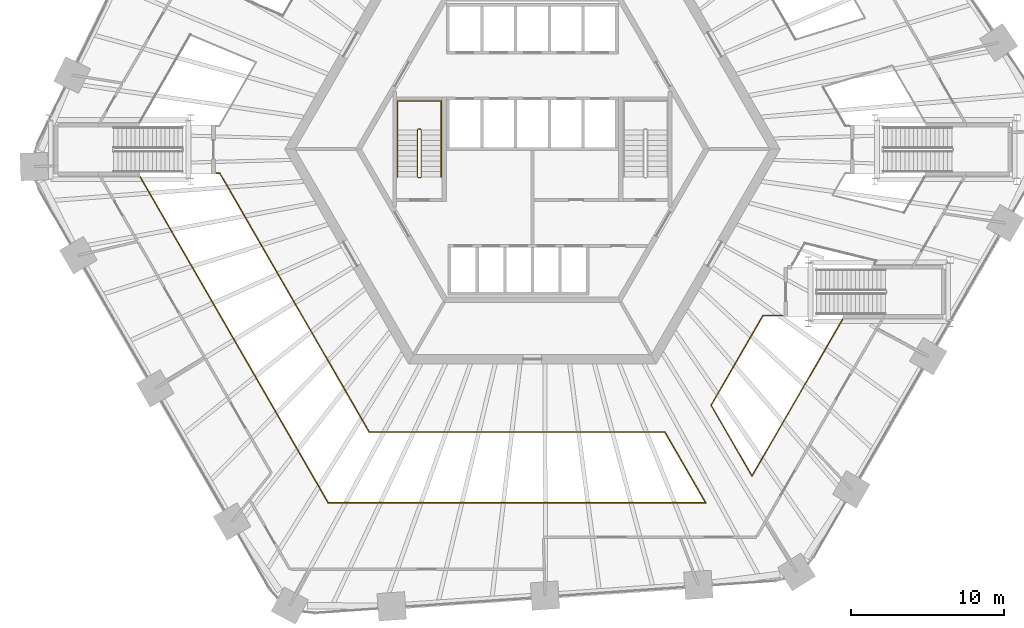
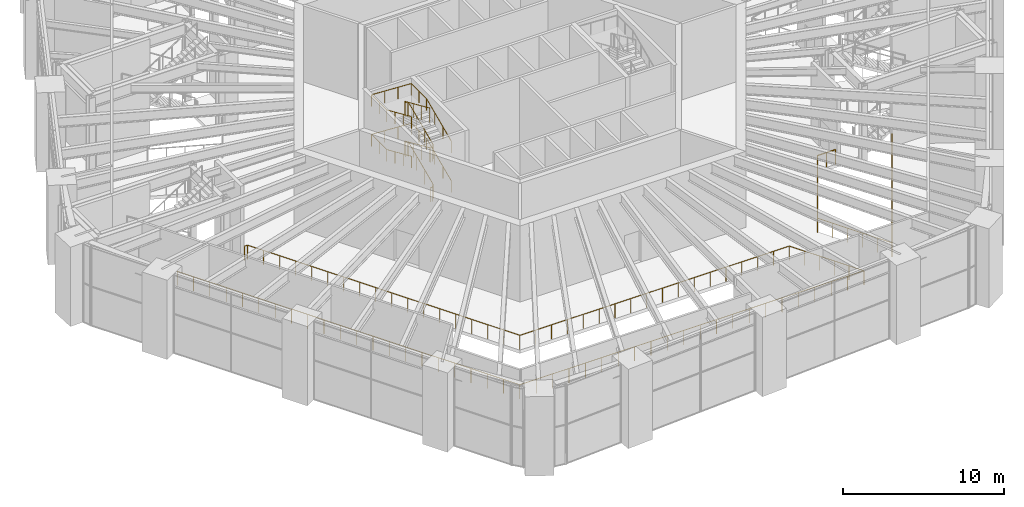
# One storey, part 28 of 32: 6 railings.
"""IFC4 building model written with IfcOpenShell, lengths in metres."""

from ifc_helpers import new_model, si_unit, direction, frame, origin, origin_2d, place, context, subcontext, project, spatial, circle, extrude, material, type_object, element, save


model = new_model("IFC4")

# Units and contexts
model_context = context("Model", 3, precision=1e-05, world=origin(), true_north=direction((0.0, 1.0)))
body_context = subcontext(model_context, "Body", "Model", "MODEL_VIEW")
ifc_project = project(units=[si_unit("LENGTHUNIT", "METRE"), si_unit("AREAUNIT", "SQUARE_METRE"), si_unit("VOLUMEUNIT", "CUBIC_METRE"), si_unit("PLANEANGLEUNIT", "RADIAN"), si_unit("MASSUNIT", "GRAM", prefix="KILO")], contexts=[model_context])

# Site, building, storey
site_placement = place(None, origin())
site = spatial("IfcSite", under=ifc_project, at=site_placement, CompositionType="ELEMENT")
building_placement = place(site_placement, origin())
building = spatial("IfcBuilding", under=site, at=building_placement, Name="Tarnside Tower", CompositionType="ELEMENT")
storey_placement = place(building_placement, frame((0.0, 0.0, 9.0)))
storey = spatial("IfcBuildingStorey", under=building, at=storey_placement, Name="L01", CompositionType="ELEMENT", Elevation=9.0)

# Railings
ifc_material_1 = material(Name="Safety glass", Category="glass")
railing_type_1 = type_object("IfcRailingType", Name="Guard 1100 glass", PredefinedType="GUARDRAIL", material=ifc_material_1)
railing_1_placement = place(storey_placement, frame((-20.60498046875, -1.56494140625, 0.0)))
element("IfcRailing", 1, at=railing_1_placement, inside=storey, type_object=railing_type_1, Name="Guard 1", PredefinedType="GUARDRAIL", context=body_context, shape_type="SweptSolid", body=[
    extrude(circle(Radius=0.02392578125, at=origin_2d()), frame((0.0, 0.0, 1.076171875), z_axis=(1.0, 0.0, 0.0), x_axis=(0.0, 1.0, 0.0)), (0.0, 0.0, 1.0), 0.2158203125),
    extrude(circle(Radius=0.02392578125, at=origin_2d()), frame((0.2158203125, 0.0, 1.076171875), z_axis=(0.500005162613, -0.866022423128, 0.0), x_axis=(0.866022423128, 0.500005162613, 0.0)), (0.0, 0.0, 1.0), 19.485595703125),
    extrude(circle(Radius=0.02392578125, at=origin_2d()), frame((9.958740234375, -16.875, 1.076171875), z_axis=(1.0, 0.0, 0.0), x_axis=(0.0, 1.0, 0.0)), (0.0, 0.0, 1.0), 19.283447265625),
    extrude(circle(Radius=0.02392578125, at=origin_2d()), frame((29.2421875, -16.875, 1.076171875), z_axis=(0.499973348067, -0.866040790738, 0.0), x_axis=(0.866040790738, 0.499973348067, 0.0)), (0.0, 0.0, 1.0), 5.334716796875),
    extrude(circle(Radius=0.02392578125, at=origin_2d()), frame((31.909423828125, -21.4951171875, 1.076171875), z_axis=(-1.0, 0.0, 0.0), x_axis=(0.0, -1.0, 0.0)), (0.0, 0.0, 1.0), 24.6181640625),
    extrude(circle(Radius=0.02392578125, at=origin_2d()), frame((7.291259765625, -21.4951171875, 1.076171875), z_axis=(-0.499997393345, 0.866026908732, 0.0), x_axis=(-0.866026908732, -0.499997393345, 0.0)), (0.0, 0.0, 1.0), 24.520263671875),
    extrude(circle(Radius=0.02099609375, at=origin_2d()), origin(), (0.0, 0.0, 1.0), 1.052001953125),
    extrude(circle(Radius=0.02099609375, at=origin_2d()), frame((0.2158203125, 0.0, 0.0)), (0.0, 0.0, 1.0), 1.052001953125),
    extrude(circle(Radius=0.02099609375, at=origin_2d()), frame((0.788818359375, -0.99267578125, 0.0)), (0.0, 0.0, 1.0), 1.052001953125),
    extrude(circle(Radius=0.02099609375, at=origin_2d()), frame((1.362060546875, -1.9853515625, 0.0)), (0.0, 0.0, 1.0), 1.052001953125),
    extrude(circle(Radius=0.02099609375, at=origin_2d()), frame((1.93505859375, -2.97802734375, 0.0)), (0.0, 0.0, 1.0), 1.052001953125),
    extrude(circle(Radius=0.02099609375, at=origin_2d()), frame((2.50830078125, -3.970703125, 0.0)), (0.0, 0.0, 1.0), 1.052001953125),
    extrude(circle(Radius=0.02099609375, at=origin_2d()), frame((3.081298828125, -4.963134765625, 0.0)), (0.0, 0.0, 1.0), 1.052001953125),
    extrude(circle(Radius=0.02099609375, at=origin_2d()), frame((3.654541015625, -5.955810546875, 0.0)), (0.0, 0.0, 1.0), 1.052001953125),
    extrude(circle(Radius=0.02099609375, at=origin_2d()), frame((4.2275390625, -6.948486328125, 0.0)), (0.0, 0.0, 1.0), 1.052001953125),
    extrude(circle(Radius=0.02099609375, at=origin_2d()), frame((4.80078125, -7.941162109375, 0.0)), (0.0, 0.0, 1.0), 1.052001953125),
    extrude(circle(Radius=0.02099609375, at=origin_2d()), frame((5.373779296875, -8.933837890625, 0.0)), (0.0, 0.0, 1.0), 1.052001953125),
    extrude(circle(Radius=0.02099609375, at=origin_2d()), frame((5.947021484375, -9.926513671875, 0.0)), (0.0, 0.0, 1.0), 1.052001953125),
    extrude(circle(Radius=0.02099609375, at=origin_2d()), frame((6.52001953125, -10.919189453125, 0.0)), (0.0, 0.0, 1.0), 1.052001953125),
    extrude(circle(Radius=0.02099609375, at=origin_2d()), frame((7.09326171875, -11.911865234375, 0.0)), (0.0, 0.0, 1.0), 1.052001953125),
    extrude(circle(Radius=0.02099609375, at=origin_2d()), frame((7.666259765625, -12.904296875, 0.0)), (0.0, 0.0, 1.0), 1.052001953125),
    extrude(circle(Radius=0.02099609375, at=origin_2d()), frame((8.239501953125, -13.89697265625, 0.0)), (0.0, 0.0, 1.0), 1.052001953125),
    extrude(circle(Radius=0.02099609375, at=origin_2d()), frame((8.8125, -14.8896484375, 0.0)), (0.0, 0.0, 1.0), 1.052001953125),
    extrude(circle(Radius=0.02099609375, at=origin_2d()), frame((9.3857421875, -15.88232421875, 0.0)), (0.0, 0.0, 1.0), 1.052001953125),
    extrude(circle(Radius=0.02099609375, at=origin_2d()), frame((9.958740234375, -16.875, 0.0)), (0.0, 0.0, 1.0), 1.052001953125),
    extrude(circle(Radius=0.02099609375, at=origin_2d()), frame((11.093017578125, -16.875, 0.0)), (0.0, 0.0, 1.0), 1.052001953125),
    extrude(circle(Radius=0.02099609375, at=origin_2d()), frame((12.227294921875, -16.875, 0.0)), (0.0, 0.0, 1.0), 1.052001953125),
    extrude(circle(Radius=0.02099609375, at=origin_2d()), frame((13.36181640625, -16.875, 0.0)), (0.0, 0.0, 1.0), 1.052001953125),
    extrude(circle(Radius=0.02099609375, at=origin_2d()), frame((14.49609375, -16.875, 0.0)), (0.0, 0.0, 1.0), 1.052001953125),
    extrude(circle(Radius=0.02099609375, at=origin_2d()), frame((15.63037109375, -16.875, 0.0)), (0.0, 0.0, 1.0), 1.052001953125),
    extrude(circle(Radius=0.02099609375, at=origin_2d()), frame((16.7646484375, -16.875, 0.0)), (0.0, 0.0, 1.0), 1.052001953125),
    extrude(circle(Radius=0.02099609375, at=origin_2d()), frame((17.89892578125, -16.875, 0.0)), (0.0, 0.0, 1.0), 1.052001953125),
    extrude(circle(Radius=0.02099609375, at=origin_2d()), frame((19.033203125, -16.875, 0.0)), (0.0, 0.0, 1.0), 1.052001953125),
    extrude(circle(Radius=0.02099609375, at=origin_2d()), frame((20.167724609375, -16.875, 0.0)), (0.0, 0.0, 1.0), 1.052001953125),
    extrude(circle(Radius=0.02099609375, at=origin_2d()), frame((21.302001953125, -16.875, 0.0)), (0.0, 0.0, 1.0), 1.052001953125),
    extrude(circle(Radius=0.02099609375, at=origin_2d()), frame((22.436279296875, -16.875, 0.0)), (0.0, 0.0, 1.0), 1.052001953125),
    extrude(circle(Radius=0.02099609375, at=origin_2d()), frame((23.570556640625, -16.875, 0.0)), (0.0, 0.0, 1.0), 1.052001953125),
    extrude(circle(Radius=0.02099609375, at=origin_2d()), frame((24.704833984375, -16.875, 0.0)), (0.0, 0.0, 1.0), 1.052001953125),
    extrude(circle(Radius=0.02099609375, at=origin_2d()), frame((25.839111328125, -16.875, 0.0)), (0.0, 0.0, 1.0), 1.052001953125),
    extrude(circle(Radius=0.02099609375, at=origin_2d()), frame((26.9736328125, -16.875, 0.0)), (0.0, 0.0, 1.0), 1.052001953125),
    extrude(circle(Radius=0.02099609375, at=origin_2d()), frame((28.10791015625, -16.875, 0.0)), (0.0, 0.0, 1.0), 1.052001953125),
    extrude(circle(Radius=0.02099609375, at=origin_2d()), frame((29.2421875, -16.875, 0.0)), (0.0, 0.0, 1.0), 1.052001953125),
    extrude(circle(Radius=0.02099609375, at=origin_2d()), frame((29.775634765625, -17.799072265625, 0.0)), (0.0, 0.0, 1.0), 1.052001953125),
    extrude(circle(Radius=0.02099609375, at=origin_2d()), frame((30.30908203125, -18.72314453125, 0.0)), (0.0, 0.0, 1.0), 1.052001953125),
    extrude(circle(Radius=0.02099609375, at=origin_2d()), frame((30.842529296875, -19.64697265625, 0.0)), (0.0, 0.0, 1.0), 1.052001953125),
    extrude(circle(Radius=0.02099609375, at=origin_2d()), frame((31.3759765625, -20.571044921875, 0.0)), (0.0, 0.0, 1.0), 1.052001953125),
    extrude(circle(Radius=0.02099609375, at=origin_2d()), frame((31.909423828125, -21.4951171875, 0.0)), (0.0, 0.0, 1.0), 1.052001953125),
    extrude(circle(Radius=0.02099609375, at=origin_2d()), frame((30.737060546875, -21.4951171875, 0.0)), (0.0, 0.0, 1.0), 1.052001953125),
    extrude(circle(Radius=0.02099609375, at=origin_2d()), frame((29.56494140625, -21.4951171875, 0.0)), (0.0, 0.0, 1.0), 1.052001953125),
    extrude(circle(Radius=0.02099609375, at=origin_2d()), frame((28.392578125, -21.4951171875, 0.0)), (0.0, 0.0, 1.0), 1.052001953125),
    extrude(circle(Radius=0.02099609375, at=origin_2d()), frame((27.22021484375, -21.4951171875, 0.0)), (0.0, 0.0, 1.0), 1.052001953125),
    extrude(circle(Radius=0.02099609375, at=origin_2d()), frame((26.0478515625, -21.4951171875, 0.0)), (0.0, 0.0, 1.0), 1.052001953125),
    extrude(circle(Radius=0.02099609375, at=origin_2d()), frame((24.875732421875, -21.4951171875, 0.0)), (0.0, 0.0, 1.0), 1.052001953125),
    extrude(circle(Radius=0.02099609375, at=origin_2d()), frame((23.703369140625, -21.4951171875, 0.0)), (0.0, 0.0, 1.0), 1.052001953125),
    extrude(circle(Radius=0.02099609375, at=origin_2d()), frame((22.531005859375, -21.4951171875, 0.0)), (0.0, 0.0, 1.0), 1.052001953125),
    extrude(circle(Radius=0.02099609375, at=origin_2d()), frame((21.35888671875, -21.4951171875, 0.0)), (0.0, 0.0, 1.0), 1.052001953125),
    extrude(circle(Radius=0.02099609375, at=origin_2d()), frame((20.1865234375, -21.4951171875, 0.0)), (0.0, 0.0, 1.0), 1.052001953125),
    extrude(circle(Radius=0.02099609375, at=origin_2d()), frame((19.01416015625, -21.4951171875, 0.0)), (0.0, 0.0, 1.0), 1.052001953125),
    extrude(circle(Radius=0.02099609375, at=origin_2d()), frame((17.841796875, -21.4951171875, 0.0)), (0.0, 0.0, 1.0), 1.052001953125),
    extrude(circle(Radius=0.02099609375, at=origin_2d()), frame((16.669677734375, -21.4951171875, 0.0)), (0.0, 0.0, 1.0), 1.052001953125),
    extrude(circle(Radius=0.02099609375, at=origin_2d()), frame((15.497314453125, -21.4951171875, 0.0)), (0.0, 0.0, 1.0), 1.052001953125),
    extrude(circle(Radius=0.02099609375, at=origin_2d()), frame((14.324951171875, -21.4951171875, 0.0)), (0.0, 0.0, 1.0), 1.052001953125),
    extrude(circle(Radius=0.02099609375, at=origin_2d()), frame((13.15283203125, -21.4951171875, 0.0)), (0.0, 0.0, 1.0), 1.052001953125),
    extrude(circle(Radius=0.02099609375, at=origin_2d()), frame((11.98046875, -21.4951171875, 0.0)), (0.0, 0.0, 1.0), 1.052001953125),
    extrude(circle(Radius=0.02099609375, at=origin_2d()), frame((10.80810546875, -21.4951171875, 0.0)), (0.0, 0.0, 1.0), 1.052001953125),
    extrude(circle(Radius=0.02099609375, at=origin_2d()), frame((9.6357421875, -21.4951171875, 0.0)), (0.0, 0.0, 1.0), 1.052001953125),
    extrude(circle(Radius=0.02099609375, at=origin_2d()), frame((8.463623046875, -21.4951171875, 0.0)), (0.0, 0.0, 1.0), 1.052001953125),
    extrude(circle(Radius=0.02099609375, at=origin_2d()), frame((7.291259765625, -21.4951171875, 0.0)), (0.0, 0.0, 1.0), 1.052001953125),
    extrude(circle(Radius=0.02099609375, at=origin_2d()), frame((6.70751953125, -20.48388671875, 0.0)), (0.0, 0.0, 1.0), 1.052001953125),
    extrude(circle(Radius=0.02099609375, at=origin_2d()), frame((6.12353515625, -19.47265625, 0.0)), (0.0, 0.0, 1.0), 1.052001953125),
    extrude(circle(Radius=0.02099609375, at=origin_2d()), frame((5.539794921875, -18.46142578125, 0.0)), (0.0, 0.0, 1.0), 1.052001953125),
    extrude(circle(Radius=0.02099609375, at=origin_2d()), frame((4.9560546875, -17.450439453125, 0.0)), (0.0, 0.0, 1.0), 1.052001953125),
    extrude(circle(Radius=0.02099609375, at=origin_2d()), frame((4.372314453125, -16.439208984375, 0.0)), (0.0, 0.0, 1.0), 1.052001953125),
    extrude(circle(Radius=0.02099609375, at=origin_2d()), frame((3.788330078125, -15.427978515625, 0.0)), (0.0, 0.0, 1.0), 1.052001953125),
    extrude(circle(Radius=0.02099609375, at=origin_2d()), frame((3.20458984375, -14.416748046875, 0.0)), (0.0, 0.0, 1.0), 1.052001953125),
    extrude(circle(Radius=0.02099609375, at=origin_2d()), frame((2.620849609375, -13.405517578125, 0.0)), (0.0, 0.0, 1.0), 1.052001953125),
    extrude(circle(Radius=0.02099609375, at=origin_2d()), frame((2.036865234375, -12.394287109375, 0.0)), (0.0, 0.0, 1.0), 1.052001953125),
    extrude(circle(Radius=0.02099609375, at=origin_2d()), frame((1.453125, -11.383056640625, 0.0)), (0.0, 0.0, 1.0), 1.052001953125),
    extrude(circle(Radius=0.02099609375, at=origin_2d()), frame((0.869384765625, -10.3720703125, 0.0)), (0.0, 0.0, 1.0), 1.052001953125),
    extrude(circle(Radius=0.02099609375, at=origin_2d()), frame((0.28564453125, -9.36083984375, 0.0)), (0.0, 0.0, 1.0), 1.052001953125),
    extrude(circle(Radius=0.02099609375, at=origin_2d()), frame((-0.29833984375, -8.349609375, 0.0)), (0.0, 0.0, 1.0), 1.052001953125),
    extrude(circle(Radius=0.02099609375, at=origin_2d()), frame((-0.882080078125, -7.33837890625, 0.0)), (0.0, 0.0, 1.0), 1.052001953125),
    extrude(circle(Radius=0.02099609375, at=origin_2d()), frame((-1.4658203125, -6.3271484375, 0.0)), (0.0, 0.0, 1.0), 1.052001953125),
    extrude(circle(Radius=0.02099609375, at=origin_2d()), frame((-2.0498046875, -5.31591796875, 0.0)), (0.0, 0.0, 1.0), 1.052001953125),
    extrude(circle(Radius=0.02099609375, at=origin_2d()), frame((-2.633544921875, -4.3046875, 0.0)), (0.0, 0.0, 1.0), 1.052001953125),
    extrude(circle(Radius=0.02099609375, at=origin_2d()), frame((-3.21728515625, -3.293701171875, 0.0)), (0.0, 0.0, 1.0), 1.052001953125),
    extrude(circle(Radius=0.02099609375, at=origin_2d()), frame((-3.801025390625, -2.282470703125, 0.0)), (0.0, 0.0, 1.0), 1.052001953125),
    extrude(circle(Radius=0.02099609375, at=origin_2d()), frame((-4.385009765625, -1.271240234375, 0.0)), (0.0, 0.0, 1.0), 1.052001953125),
    extrude(circle(Radius=0.02099609375, at=origin_2d()), frame((-4.96875, -0.260009765625, 0.0)), (0.0, 0.0, 1.0), 1.052001953125),
])
railing_2_placement = place(storey_placement, frame((11.65087890625, -16.699951171875, 0.0)))
element("IfcRailing", 2, at=railing_2_placement, inside=storey, type_object=railing_type_1, Name="Guard 2", PredefinedType="GUARDRAIL", context=body_context, shape_type="SweptSolid", body=[
    extrude(circle(Radius=0.02392578125, at=origin_2d()), frame((0.0, 0.0, 1.076171875), z_axis=(0.500011875296, 0.866018547471, 0.0), x_axis=(-0.866018547471, 0.500011875296, 0.0)), (0.0, 0.0, 1.0), 6.766357421875),
    extrude(circle(Radius=0.02392578125, at=origin_2d()), frame((3.38330078125, 5.85986328125, 1.076171875), z_axis=(1.0, 0.0, 0.0), x_axis=(0.0, 1.0, 0.0)), (0.0, 0.0, 1.0), 1.28076171875),
    extrude(circle(Radius=0.02099609375, at=origin_2d()), origin(), (0.0, 0.0, 1.0), 1.052001953125),
    extrude(circle(Radius=0.02099609375, at=origin_2d()), frame((0.56396484375, 0.9765625, 0.0)), (0.0, 0.0, 1.0), 1.052001953125),
    extrude(circle(Radius=0.02099609375, at=origin_2d()), frame((1.127685546875, 1.953369140625, 0.0)), (0.0, 0.0, 1.0), 1.052001953125),
    extrude(circle(Radius=0.02099609375, at=origin_2d()), frame((1.691650390625, 2.929931640625, 0.0)), (0.0, 0.0, 1.0), 1.052001953125),
    extrude(circle(Radius=0.02099609375, at=origin_2d()), frame((2.255615234375, 3.906494140625, 0.0)), (0.0, 0.0, 1.0), 1.052001953125),
    extrude(circle(Radius=0.02099609375, at=origin_2d()), frame((2.8193359375, 4.88330078125, 0.0)), (0.0, 0.0, 1.0), 1.052001953125),
    extrude(circle(Radius=0.02099609375, at=origin_2d()), frame((3.38330078125, 5.85986328125, 0.0)), (0.0, 0.0, 1.0), 1.052001953125),
    extrude(circle(Radius=0.02099609375, at=origin_2d()), frame((4.023681640625, 5.85986328125, 0.0)), (0.0, 0.0, 1.0), 1.052001953125),
    extrude(circle(Radius=0.02099609375, at=origin_2d()), frame((4.6640625, 5.85986328125, 0.0)), (0.0, 0.0, 1.0), 1.052001953125),
])
railing_3_placement = place(storey_placement, frame((20.21875, -11.10009765625, 0.0)))
element("IfcRailing", 3, at=railing_3_placement, inside=storey, type_object=railing_type_1, Name="Guard 3", PredefinedType="GUARDRAIL", context=body_context, shape_type="SweptSolid", body=[
    extrude(circle(Radius=0.02392578125, at=origin_2d()), frame((0.0, 0.0, 1.076171875), z_axis=(-0.499992868466, -0.866029521138, 0.0), x_axis=(0.866029521138, -0.499992868466, 0.0)), (0.0, 0.0, 1.0), 11.801025390625),
    extrude(circle(Radius=0.02392578125, at=origin_2d()), frame((-5.900390625, -10.219970703125, 1.076171875), z_axis=(-0.500007671222, 0.866020974757, 0.0), x_axis=(-0.866020974757, -0.500007671222, 0.0)), (0.0, 0.0, 1.0), 5.3349609375),
    extrude(circle(Radius=0.02099609375, at=origin_2d()), origin(), (0.0, 0.0, 1.0), 1.052001953125),
    extrude(circle(Radius=0.02099609375, at=origin_2d()), frame((-0.590087890625, -1.02197265625, 0.0)), (0.0, 0.0, 1.0), 1.052001953125),
    extrude(circle(Radius=0.02099609375, at=origin_2d()), frame((-1.18017578125, -2.0439453125, 0.0)), (0.0, 0.0, 1.0), 1.052001953125),
    extrude(circle(Radius=0.02099609375, at=origin_2d()), frame((-1.77001953125, -3.06591796875, 0.0)), (0.0, 0.0, 1.0), 1.052001953125),
    extrude(circle(Radius=0.02099609375, at=origin_2d()), frame((-2.360107421875, -4.087890625, 0.0)), (0.0, 0.0, 1.0), 1.052001953125),
    extrude(circle(Radius=0.02099609375, at=origin_2d()), frame((-2.9501953125, -5.10986328125, 0.0)), (0.0, 0.0, 1.0), 1.052001953125),
    extrude(circle(Radius=0.02099609375, at=origin_2d()), frame((-3.540283203125, -6.132080078125, 0.0)), (0.0, 0.0, 1.0), 1.052001953125),
    extrude(circle(Radius=0.02099609375, at=origin_2d()), frame((-4.13037109375, -7.154052734375, 0.0)), (0.0, 0.0, 1.0), 1.052001953125),
    extrude(circle(Radius=0.02099609375, at=origin_2d()), frame((-4.72021484375, -8.176025390625, 0.0)), (0.0, 0.0, 1.0), 1.052001953125),
    extrude(circle(Radius=0.02099609375, at=origin_2d()), frame((-5.310302734375, -9.197998046875, 0.0)), (0.0, 0.0, 1.0), 1.052001953125),
    extrude(circle(Radius=0.02099609375, at=origin_2d()), frame((-5.900390625, -10.219970703125, 0.0)), (0.0, 0.0, 1.0), 1.052001953125),
    extrude(circle(Radius=0.02099609375, at=origin_2d()), frame((-6.433837890625, -9.2958984375, 0.0)), (0.0, 0.0, 1.0), 1.052001953125),
    extrude(circle(Radius=0.02099609375, at=origin_2d()), frame((-6.96728515625, -8.371826171875, 0.0)), (0.0, 0.0, 1.0), 1.052001953125),
    extrude(circle(Radius=0.02099609375, at=origin_2d()), frame((-7.5009765625, -7.447998046875, 0.0)), (0.0, 0.0, 1.0), 1.052001953125),
    extrude(circle(Radius=0.02099609375, at=origin_2d()), frame((-8.034423828125, -6.52392578125, 0.0)), (0.0, 0.0, 1.0), 1.052001953125),
    extrude(circle(Radius=0.02099609375, at=origin_2d()), frame((-8.56787109375, -5.599853515625, 0.0)), (0.0, 0.0, 1.0), 1.052001953125),
])
ifc_material_2 = material(Name="Stainless steel", Category="steel")
railing_type_2 = type_object("IfcRailingType", Name="Stair guard 1100", PredefinedType="GUARDRAIL", material=ifc_material_2)
railing_4_placement = place(storey_placement, frame((-7.449951171875, -1.85009765625, 0.0)))
element("IfcRailing", 4, at=railing_4_placement, inside=storey, type_object=railing_type_2, Name="L01 ST2 stair guard 1", PredefinedType="GUARDRAIL", context=body_context, shape_type="SweptSolid", body=[
    extrude(circle(Radius=0.02392578125, at=origin_2d()), frame((0.0, 0.0, 1.076171875), z_axis=(1.0, 0.0, 0.0), x_axis=(0.0, 1.0, 0.0)), (0.0, 0.0, 1.0), 0.14990234375),
    extrude(circle(Radius=0.02392578125, at=origin_2d()), frame((0.14990234375, 0.0, 1.076171875), z_axis=(0.301912943143, 0.301912943143, 0.904266083366), x_axis=(-0.707106781187, 0.707106781187, 0.0)), (0.0, 0.0, 1.0), 0.165771484375),
    extrude(circle(Radius=0.02392578125, at=origin_2d()), frame((0.199951171875, 0.050048828125, 1.22607421875), z_axis=(0.0, 0.914909872985, 0.403658177565), x_axis=(-1.0, 0.0, 0.0)), (0.0, 0.0, 1.0), 3.3447265625),
    extrude(circle(Radius=0.02392578125, at=origin_2d()), frame((0.199951171875, 3.110107421875, 2.576171875), z_axis=(-0.707106781187, 0.707106781187, 0.0), x_axis=(-0.707106781187, -0.707106781187, 0.0)), (0.0, 0.0, 1.0), 0.07080078125),
    extrude(circle(Radius=0.02392578125, at=origin_2d()), frame((0.14990234375, 3.16015625, 2.576171875), z_axis=(-1.0, 0.0, 0.0), x_axis=(0.0, -1.0, 0.0)), (0.0, 0.0, 1.0), 0.14990234375),
    extrude(circle(Radius=0.02392578125, at=origin_2d()), frame((0.0, 3.16015625, 2.576171875), z_axis=(-0.301912943143, -0.301912943143, 0.904266083366), x_axis=(0.707106781187, -0.707106781187, 0.0)), (0.0, 0.0, 1.0), 0.165771484375),
    extrude(circle(Radius=0.02392578125, at=origin_2d()), frame((-0.050048828125, 3.110107421875, 2.72607421875), z_axis=(0.0, -0.914909872985, 0.403658177565), x_axis=(1.0, 0.0, 0.0)), (0.0, 0.0, 1.0), 3.3447265625),
    extrude(circle(Radius=0.02392578125, at=origin_2d()), frame((-0.050048828125, 0.050048828125, 4.076171875), z_axis=(0.707106781187, -0.707106781187, 0.0), x_axis=(0.707106781187, 0.707106781187, 0.0)), (0.0, 0.0, 1.0), 0.07080078125),
    extrude(circle(Radius=0.02392578125, at=origin_2d()), frame((0.0, 0.0, 4.076171875), z_axis=(1.0, 0.0, 0.0), x_axis=(0.0, 1.0, 0.0)), (0.0, 0.0, 1.0), 0.14990234375),
    extrude(circle(Radius=0.02392578125, at=origin_2d()), frame((0.14990234375, 0.0, 4.076171875), z_axis=(0.301912943143, 0.301912943143, 0.904266083366), x_axis=(-0.707106781187, 0.707106781187, 0.0)), (0.0, 0.0, 1.0), 0.165771484375),
    extrude(circle(Radius=0.02392578125, at=origin_2d()), frame((0.199951171875, 0.050048828125, 4.22607421875), z_axis=(0.0, 0.914909872985, 0.403658177565), x_axis=(-1.0, 0.0, 0.0)), (0.0, 0.0, 1.0), 3.3447265625),
    extrude(circle(Radius=0.02392578125, at=origin_2d()), frame((0.199951171875, 3.110107421875, 5.576171875), z_axis=(-0.707106781187, 0.707106781187, 0.0), x_axis=(-0.707106781187, -0.707106781187, 0.0)), (0.0, 0.0, 1.0), 0.07080078125),
    extrude(circle(Radius=0.02392578125, at=origin_2d()), frame((0.14990234375, 3.16015625, 5.576171875), z_axis=(-1.0, 0.0, 0.0), x_axis=(0.0, -1.0, 0.0)), (0.0, 0.0, 1.0), 0.14990234375),
    extrude(circle(Radius=0.02392578125, at=origin_2d()), frame((0.0, 3.16015625, 5.576171875), z_axis=(-0.301912943143, -0.301912943143, 0.904266083366), x_axis=(0.707106781187, -0.707106781187, 0.0)), (0.0, 0.0, 1.0), 0.165771484375),
    extrude(circle(Radius=0.02392578125, at=origin_2d()), frame((-0.050048828125, 3.110107421875, 5.72607421875), z_axis=(0.0, -0.914909872985, 0.403658177565), x_axis=(1.0, 0.0, 0.0)), (0.0, 0.0, 1.0), 3.3447265625),
    extrude(circle(Radius=0.02099609375, at=origin_2d()), origin(), (0.0, 0.0, 1.0), 1.052001953125),
    extrude(circle(Radius=0.02099609375, at=origin_2d()), frame((0.14990234375, 0.0, 0.0)), (0.0, 0.0, 1.0), 1.052001953125),
    extrude(circle(Radius=0.02099609375, at=origin_2d()), frame((0.199951171875, 0.050048828125, 0.14990234375)), (0.0, 0.0, 1.0), 1.052001953125),
    extrude(circle(Radius=0.02099609375, at=origin_2d()), frame((0.199951171875, 1.070068359375, 0.599853515625)), (0.0, 0.0, 1.0), 1.052001953125),
    extrude(circle(Radius=0.02099609375, at=origin_2d()), frame((0.199951171875, 2.090087890625, 1.050048828125)), (0.0, 0.0, 1.0), 1.052001953125),
    extrude(circle(Radius=0.02099609375, at=origin_2d()), frame((0.199951171875, 3.110107421875, 1.5)), (0.0, 0.0, 1.0), 1.052001953125),
    extrude(circle(Radius=0.02099609375, at=origin_2d()), frame((0.14990234375, 3.16015625, 1.5)), (0.0, 0.0, 1.0), 1.052001953125),
    extrude(circle(Radius=0.02099609375, at=origin_2d()), frame((0.0, 3.16015625, 1.5)), (0.0, 0.0, 1.0), 1.052001953125),
    extrude(circle(Radius=0.02099609375, at=origin_2d()), frame((-0.050048828125, 3.110107421875, 1.64990234375)), (0.0, 0.0, 1.0), 1.052001953125),
    extrude(circle(Radius=0.02099609375, at=origin_2d()), frame((-0.050048828125, 2.090087890625, 2.099853515625)), (0.0, 0.0, 1.0), 1.052001953125),
    extrude(circle(Radius=0.02099609375, at=origin_2d()), frame((-0.050048828125, 1.070068359375, 2.550048828125)), (0.0, 0.0, 1.0), 1.052001953125),
    extrude(circle(Radius=0.02099609375, at=origin_2d()), frame((-0.050048828125, 0.050048828125, 3.0)), (0.0, 0.0, 1.0), 1.052001953125),
    extrude(circle(Radius=0.02099609375, at=origin_2d()), frame((0.0, 0.0, 3.0)), (0.0, 0.0, 1.0), 1.052001953125),
    extrude(circle(Radius=0.02099609375, at=origin_2d()), frame((0.14990234375, 0.0, 3.0)), (0.0, 0.0, 1.0), 1.052001953125),
    extrude(circle(Radius=0.02099609375, at=origin_2d()), frame((0.199951171875, 0.050048828125, 3.14990234375)), (0.0, 0.0, 1.0), 1.052001953125),
    extrude(circle(Radius=0.02099609375, at=origin_2d()), frame((0.199951171875, 1.070068359375, 3.599853515625)), (0.0, 0.0, 1.0), 1.052001953125),
    extrude(circle(Radius=0.02099609375, at=origin_2d()), frame((0.199951171875, 2.090087890625, 4.050048828125)), (0.0, 0.0, 1.0), 1.052001953125),
    extrude(circle(Radius=0.02099609375, at=origin_2d()), frame((0.199951171875, 3.110107421875, 4.5)), (0.0, 0.0, 1.0), 1.052001953125),
    extrude(circle(Radius=0.02099609375, at=origin_2d()), frame((0.14990234375, 3.16015625, 4.5)), (0.0, 0.0, 1.0), 1.052001953125),
    extrude(circle(Radius=0.02099609375, at=origin_2d()), frame((0.0, 3.16015625, 4.5)), (0.0, 0.0, 1.0), 1.052001953125),
    extrude(circle(Radius=0.02099609375, at=origin_2d()), frame((-0.050048828125, 3.110107421875, 4.64990234375)), (0.0, 0.0, 1.0), 1.052001953125),
    extrude(circle(Radius=0.02099609375, at=origin_2d()), frame((-0.050048828125, 2.090087890625, 5.099853515625)), (0.0, 0.0, 1.0), 1.052001953125),
    extrude(circle(Radius=0.02099609375, at=origin_2d()), frame((-0.050048828125, 1.070068359375, 5.550048828125)), (0.0, 0.0, 1.0), 1.052001953125),
    extrude(circle(Radius=0.02099609375, at=origin_2d()), frame((-0.050048828125, 0.050048828125, 6.0)), (0.0, 0.0, 1.0), 1.052001953125),
])
railing_type_3 = type_object("IfcRailingType", Name="Stair handrail 900", PredefinedType="HANDRAIL", material=ifc_material_2)
railing_5_placement = place(storey_placement, frame((-5.949951171875, -1.800048828125, 0.14990234375)))
element("IfcRailing", 5, at=railing_5_placement, inside=storey, type_object=railing_type_3, Name="L01 ST2 stair handrail 1", PredefinedType="HANDRAIL", context=body_context, shape_type="SweptSolid", body=[
    extrude(circle(Radius=0.02392578125, at=origin_2d()), frame((0.0, 0.0, 0.8857421875), z_axis=(0.0, 0.914909872985, 0.403658177565), x_axis=(-1.0, 0.0, 0.0)), (0.0, 0.0, 1.0), 3.3447265625),
    extrude(circle(Radius=0.02392578125, at=origin_2d()), frame((0.0, 3.06005859375, 2.23583984375), z_axis=(0.0, 1.0, 0.0), x_axis=(-1.0, 0.0, 0.0)), (0.0, 0.0, 1.0), 1.889892578125),
    extrude(circle(Radius=0.02392578125, at=origin_2d()), frame((0.0, 4.949951171875, 2.23583984375), z_axis=(-0.998619719122, 0.0, 0.052522914814), x_axis=(0.0, -1.0, 0.0)), (0.0, 0.0, 1.0), 2.85400390625),
    extrude(circle(Radius=0.02392578125, at=origin_2d()), frame((-2.85009765625, 4.949951171875, 2.3857421875), z_axis=(0.0, -1.0, 0.0), x_axis=(1.0, 0.0, 0.0)), (0.0, 0.0, 1.0), 1.889892578125),
    extrude(circle(Radius=0.02392578125, at=origin_2d()), frame((-2.85009765625, 3.06005859375, 2.3857421875), z_axis=(0.0, -0.914909872985, 0.403658177565), x_axis=(1.0, 0.0, 0.0)), (0.0, 0.0, 1.0), 3.3447265625),
    extrude(circle(Radius=0.02099609375, at=origin_2d()), origin(), (0.0, 0.0, 1.0), 0.86181640625),
    extrude(circle(Radius=0.02099609375, at=origin_2d()), frame((0.0, 1.02001953125, 0.449951171875)), (0.0, 0.0, 1.0), 0.86181640625),
    extrude(circle(Radius=0.02099609375, at=origin_2d()), frame((0.0, 2.0400390625, 0.900146484375)), (0.0, 0.0, 1.0), 0.86181640625),
    extrude(circle(Radius=0.02099609375, at=origin_2d()), frame((0.0, 3.06005859375, 1.35009765625)), (0.0, 0.0, 1.0), 0.86181640625),
    extrude(circle(Radius=0.02099609375, at=origin_2d()), frame((0.0, 4.0048828125, 1.35009765625)), (0.0, 0.0, 1.0), 0.86181640625),
    extrude(circle(Radius=0.02099609375, at=origin_2d()), frame((0.0, 4.949951171875, 1.35009765625)), (0.0, 0.0, 1.0), 0.86181640625),
    extrude(circle(Radius=0.02099609375, at=origin_2d()), frame((-0.949951171875, 4.949951171875, 1.400146484375)), (0.0, 0.0, 1.0), 0.86181640625),
    extrude(circle(Radius=0.02099609375, at=origin_2d()), frame((-1.900146484375, 4.949951171875, 1.449951171875)), (0.0, 0.0, 1.0), 0.86181640625),
    extrude(circle(Radius=0.02099609375, at=origin_2d()), frame((-2.85009765625, 4.949951171875, 1.5)), (0.0, 0.0, 1.0), 0.86181640625),
    extrude(circle(Radius=0.02099609375, at=origin_2d()), frame((-2.85009765625, 4.0048828125, 1.5)), (0.0, 0.0, 1.0), 0.86181640625),
    extrude(circle(Radius=0.02099609375, at=origin_2d()), frame((-2.85009765625, 3.06005859375, 1.5)), (0.0, 0.0, 1.0), 0.86181640625),
    extrude(circle(Radius=0.02099609375, at=origin_2d()), frame((-2.85009765625, 2.0400390625, 1.949951171875)), (0.0, 0.0, 1.0), 0.86181640625),
    extrude(circle(Radius=0.02099609375, at=origin_2d()), frame((-2.85009765625, 1.02001953125, 2.400146484375)), (0.0, 0.0, 1.0), 0.86181640625),
    extrude(circle(Radius=0.02099609375, at=origin_2d()), frame((-2.85009765625, 0.0, 2.85009765625)), (0.0, 0.0, 1.0), 0.86181640625),
])
railing_6_placement = place(storey_placement, frame((-5.949951171875, -1.800048828125, 3.14990234375)))
element("IfcRailing", 6, at=railing_6_placement, inside=storey, type_object=railing_type_3, Name="L01 ST2 stair handrail 2", PredefinedType="HANDRAIL", context=body_context, shape_type="SweptSolid", body=[
    extrude(circle(Radius=0.02392578125, at=origin_2d()), frame((0.0, 0.0, 0.8857421875), z_axis=(0.0, 0.914909872985, 0.403658177565), x_axis=(-1.0, 0.0, 0.0)), (0.0, 0.0, 1.0), 3.3447265625),
    extrude(circle(Radius=0.02392578125, at=origin_2d()), frame((0.0, 3.06005859375, 2.23583984375), z_axis=(0.0, 1.0, 0.0), x_axis=(-1.0, 0.0, 0.0)), (0.0, 0.0, 1.0), 1.889892578125),
    extrude(circle(Radius=0.02392578125, at=origin_2d()), frame((0.0, 4.949951171875, 2.23583984375), z_axis=(-0.998619719122, 0.0, 0.052522914814), x_axis=(0.0, -1.0, 0.0)), (0.0, 0.0, 1.0), 2.85400390625),
    extrude(circle(Radius=0.02392578125, at=origin_2d()), frame((-2.85009765625, 4.949951171875, 2.3857421875), z_axis=(0.0, -1.0, 0.0), x_axis=(1.0, 0.0, 0.0)), (0.0, 0.0, 1.0), 1.889892578125),
    extrude(circle(Radius=0.02392578125, at=origin_2d()), frame((-2.85009765625, 3.06005859375, 2.3857421875), z_axis=(0.0, -0.914909872985, 0.403658177565), x_axis=(1.0, 0.0, 0.0)), (0.0, 0.0, 1.0), 3.3447265625),
    extrude(circle(Radius=0.02099609375, at=origin_2d()), origin(), (0.0, 0.0, 1.0), 0.86181640625),
    extrude(circle(Radius=0.02099609375, at=origin_2d()), frame((0.0, 1.02001953125, 0.449951171875)), (0.0, 0.0, 1.0), 0.86181640625),
    extrude(circle(Radius=0.02099609375, at=origin_2d()), frame((0.0, 2.0400390625, 0.900146484375)), (0.0, 0.0, 1.0), 0.86181640625),
    extrude(circle(Radius=0.02099609375, at=origin_2d()), frame((0.0, 3.06005859375, 1.35009765625)), (0.0, 0.0, 1.0), 0.86181640625),
    extrude(circle(Radius=0.02099609375, at=origin_2d()), frame((0.0, 4.0048828125, 1.35009765625)), (0.0, 0.0, 1.0), 0.86181640625),
    extrude(circle(Radius=0.02099609375, at=origin_2d()), frame((0.0, 4.949951171875, 1.35009765625)), (0.0, 0.0, 1.0), 0.86181640625),
    extrude(circle(Radius=0.02099609375, at=origin_2d()), frame((-0.949951171875, 4.949951171875, 1.400146484375)), (0.0, 0.0, 1.0), 0.86181640625),
    extrude(circle(Radius=0.02099609375, at=origin_2d()), frame((-1.900146484375, 4.949951171875, 1.449951171875)), (0.0, 0.0, 1.0), 0.86181640625),
    extrude(circle(Radius=0.02099609375, at=origin_2d()), frame((-2.85009765625, 4.949951171875, 1.5)), (0.0, 0.0, 1.0), 0.86181640625),
    extrude(circle(Radius=0.02099609375, at=origin_2d()), frame((-2.85009765625, 4.0048828125, 1.5)), (0.0, 0.0, 1.0), 0.86181640625),
    extrude(circle(Radius=0.02099609375, at=origin_2d()), frame((-2.85009765625, 3.06005859375, 1.5)), (0.0, 0.0, 1.0), 0.86181640625),
    extrude(circle(Radius=0.02099609375, at=origin_2d()), frame((-2.85009765625, 2.0400390625, 1.949951171875)), (0.0, 0.0, 1.0), 0.86181640625),
    extrude(circle(Radius=0.02099609375, at=origin_2d()), frame((-2.85009765625, 1.02001953125, 2.400146484375)), (0.0, 0.0, 1.0), 0.86181640625),
    extrude(circle(Radius=0.02099609375, at=origin_2d()), frame((-2.85009765625, 0.0, 2.85009765625)), (0.0, 0.0, 1.0), 0.86181640625),
])

save(model, "model.ifc")
